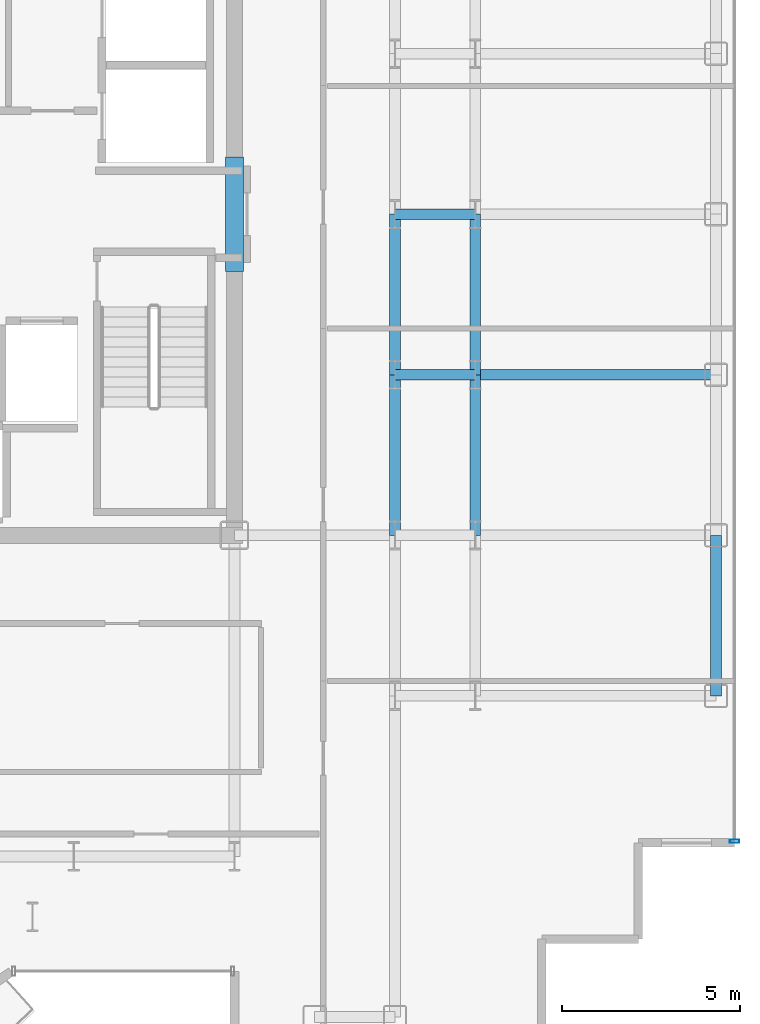
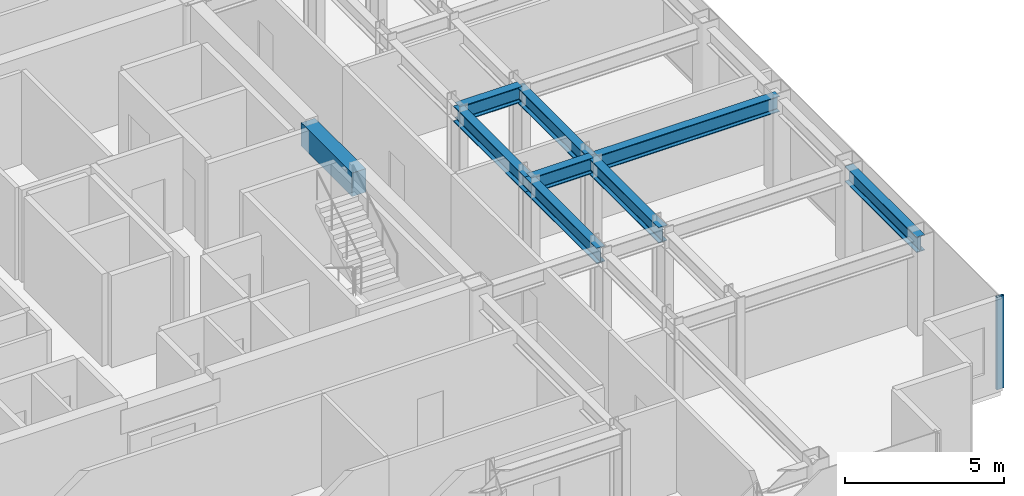
# One storey, part 6 of 20: 9 beams, 1 member, 1 element without a shape of its own.
"""IFC4 building model written with IfcOpenShell, lengths in metres."""

from ifc_helpers import new_model, si_unit, direction, frame, origin, origin_2d, place, context, subcontext, project, spatial, rectangle, hollow_rectangle, i_section, extrude, source, transform, mapped, material, layer, layer_set, material_profile, profile_set, type_object, element, aggregate, save


model = new_model("IFC4")

# Units and contexts
model_context = context("Model", 3, precision=1e-05, world=origin(), true_north=direction((0.0, 1.0)))
body_context = subcontext(model_context, "Body", "Model", "MODEL_VIEW")
ifc_project = project(units=[si_unit("LENGTHUNIT", "METRE"), si_unit("AREAUNIT", "SQUARE_METRE"), si_unit("VOLUMEUNIT", "CUBIC_METRE"), si_unit("PLANEANGLEUNIT", "RADIAN"), si_unit("MASSUNIT", "GRAM", prefix="KILO")], contexts=[model_context])

# Site, building, storey
site_placement = place(None, origin())
site = spatial("IfcSite", under=ifc_project, at=site_placement, CompositionType="ELEMENT")
building_placement = place(site_placement, origin())
building = spatial("IfcBuilding", under=site, at=building_placement, Name="Nefas-Gora Pilgrimage Tower", CompositionType="ELEMENT")
storey_placement = place(building_placement, frame((0.0, 0.0, 225.60009765625)))
storey = spatial("IfcBuildingStorey", under=building, at=storey_placement, Name="L56", CompositionType="ELEMENT", Elevation=225.60009765625)

# Beams
ifc_material_1 = material(Name="Concrete C50/60", Category="concrete")
ifc_material_profile_1 = material_profile(ifc_material_1, rectangle(XDim=0.5, YDim=0.89990234375, at=origin_2d()), Name="RC 500x900")
ifc_profile_set_1 = profile_set([ifc_material_profile_1], Name="Concrete C50/60")
beam_type_1 = type_object("IfcBeamType", Name="BM-LIN-RC900", PredefinedType="LINTEL", material=ifc_profile_set_1)
shared_shape_1 = source(origin(), body_context, "Body", "SweptSolid", [
    extrude(rectangle(XDim=0.5, YDim=0.89990234375, at=origin_2d()), origin(), (0.0, 0.0, 1.0), 3.2001953125),
])
beam_1_placement = place(storey_placement, frame((11.25, -1.60009765625, 3.099853515625), z_axis=(0.0, 1.0, 0.0), x_axis=(-1.0, 0.0, 0.0)))
element("IfcBeam", 1, at=beam_1_placement, inside=storey, type_object=beam_type_1, Name="L56 Core Coupling Lintel Beam E", PredefinedType="LINTEL", context=body_context, shape_type="MappedRepresentation", body=[
    mapped(shared_shape_1, transform((0.0, 0.0, 0.0), x_axis=(1.0, 0.0, 0.0), y_axis=(0.0, 1.0, 0.0), z_axis=(0.0, 0.0, 1.0), scale=1.0)),
])
ifc_material_2 = material(Name="Steel S355", Category="steel")
ifc_material_profile_2 = material_profile(ifc_material_2, i_section(OverallWidth=0.300048828125, OverallDepth=0.60009765625, WebThickness=0.015380859375, FlangeThickness=0.030029296875, FilletRadius=0.027099609375, at=origin_2d()), Name="HEB 600")
ifc_profile_set_2 = profile_set([ifc_material_profile_2], Name="Steel S355")
beam_type_2 = type_object("IfcBeamType", Name="BM-SPN-HEB450", PredefinedType="SPANDREL", material=ifc_profile_set_2)
shared_shape_2 = source(origin(), body_context, "Body", "SweptSolid", [
    extrude(i_section(OverallWidth=0.300048828125, OverallDepth=0.60009765625, WebThickness=0.015380859375, FlangeThickness=0.030029296875, FilletRadius=0.027099609375, at=origin_2d()), origin(), (0.0, 0.0, 1.0), 4.5),
])
beam_2_placement = place(storey_placement, frame((24.75, -13.5, 3.25), z_axis=(0.0, 1.0, 0.0), x_axis=(-1.0, 0.0, 0.0)))
element("IfcBeam", 2, at=beam_2_placement, inside=storey, type_object=beam_type_2, Name="L56 SP-03 beam", PredefinedType="SPANDREL", context=body_context, shape_type="MappedRepresentation", body=[
    mapped(shared_shape_2, transform((0.0, 0.0, 0.0), x_axis=(1.0, 0.0, 0.0), y_axis=(0.0, 1.0, 0.0), z_axis=(0.0, 0.0, 1.0), scale=1.0)),
])
ifc_material_profile_3 = material_profile(ifc_material_2, i_section(OverallWidth=0.300048828125, OverallDepth=0.60009765625, WebThickness=0.015380859375, FlangeThickness=0.030029296875, FilletRadius=0.027099609375, at=origin_2d()), Name="HEB 600")
ifc_profile_set_3 = profile_set([ifc_material_profile_3], Name="Steel S355")
beam_type_3 = type_object("IfcBeamType", Name="BM-GIR-HEB600", PredefinedType="BEAM", material=ifc_profile_set_3)
shared_shape_3 = source(origin(), body_context, "Body", "SweptSolid", [
    extrude(i_section(OverallWidth=0.300048828125, OverallDepth=0.60009765625, WebThickness=0.015380859375, FlangeThickness=0.030029296875, FilletRadius=0.027099609375, at=origin_2d()), origin(), (0.0, 0.0, 1.0), 4.5),
])
for number, where, z_axis, x_axis, name in (
    (3, (15.75, -9.0, 3.25), (0.0, 1.0, 0.0), (-1.0, 0.0, 0.0), "L56 G-04 beam"),
    (4, (15.75, -4.5, 3.25), (0.0, 1.0, 0.0), (-1.0, 0.0, 0.0), "L56 G-04 beam"),
    (5, (18.0, -9.0, 3.25), (0.0, 1.0, 0.0), (-1.0, 0.0, 0.0), "L56 G-04 beam"),
    (6, (18.0, -4.5, 3.25), (0.0, 1.0, 0.0), (-1.0, 0.0, 0.0), "L56 G-04 beam"),
):
    element("IfcBeam", number, at=place(storey_placement, frame(where, z_axis=z_axis, x_axis=x_axis)), inside=storey, type_object=beam_type_3, Name=name, PredefinedType="BEAM", context=body_context, shape_type="MappedRepresentation", body=[
        mapped(shared_shape_3, transform((0.0, 0.0, 0.0), x_axis=(1.0, 0.0, 0.0), y_axis=(0.0, 1.0, 0.0), z_axis=(0.0, 0.0, 1.0), scale=1.0)),
    ])
shared_shape_4 = source(origin(), body_context, "Body", "SweptSolid", [
    extrude(i_section(OverallWidth=0.300048828125, OverallDepth=0.60009765625, WebThickness=0.015380859375, FlangeThickness=0.030029296875, FilletRadius=0.027099609375, at=origin_2d()), origin(), (0.0, 0.0, 1.0), 6.75),
])
beam_3_placement = place(storey_placement, frame((18.0, -4.5, 3.25), z_axis=(1.0, 0.0, 0.0), x_axis=(0.0, 1.0, 0.0)))
element("IfcBeam", 7, at=beam_3_placement, inside=storey, type_object=beam_type_3, Name="L56 G-04 beam", PredefinedType="BEAM", context=body_context, shape_type="MappedRepresentation", body=[
    mapped(shared_shape_4, transform((0.0, 0.0, 0.0), x_axis=(1.0, 0.0, 0.0), y_axis=(0.0, 1.0, 0.0), z_axis=(0.0, 0.0, 1.0), scale=1.0)),
])
shared_shape_5 = source(origin(), body_context, "Body", "SweptSolid", [
    extrude(i_section(OverallWidth=0.300048828125, OverallDepth=0.60009765625, WebThickness=0.015380859375, FlangeThickness=0.030029296875, FilletRadius=0.027099609375, at=origin_2d()), origin(), (0.0, 0.0, 1.0), 2.25),
])
for number, where, z_axis, x_axis, name in (
    (8, (15.75, -4.5, 3.25), (1.0, 0.0, 0.0), (0.0, 1.0, 0.0), "L56 G-04 beam"),
    (9, (15.75, 0.0, 3.25), (1.0, 0.0, 0.0), (0.0, 1.0, 0.0), "L56 G-04 beam"),
):
    element("IfcBeam", number, at=place(storey_placement, frame(where, z_axis=z_axis, x_axis=x_axis)), inside=storey, type_object=beam_type_3, Name=name, PredefinedType="BEAM", context=body_context, shape_type="MappedRepresentation", body=[
        mapped(shared_shape_5, transform((0.0, 0.0, 0.0), x_axis=(1.0, 0.0, 0.0), y_axis=(0.0, 1.0, 0.0), z_axis=(0.0, 0.0, 1.0), scale=1.0)),
    ])

# Curtain wall, member
ifc_material_3 = material(Name="Dark ceramic-fritted solar-control aluminium-glass curtain wall", Category="aluminium")
ifc_layer = layer(ifc_material_3, 0.219970703125)
ifc_layer_set = layer_set([ifc_layer], Name="Dark ceramic-fritted solar-control aluminium-glass curtain wall")
curtain_wall_type = type_object("IfcCurtainWallType", Name="CW-SYS-3", PredefinedType="NOTDEFINED", material=ifc_layer_set)
curtain_wall_placement = place(storey_placement, origin())
curtain_wall = element("IfcCurtainWall", 10, at=curtain_wall_placement, inside=storey, type_object=curtain_wall_type, Name="L56 Unitised Curtain Wall CW3", PredefinedType="NOTDEFINED")
ifc_material_4 = material(Name="Anodised architectural aluminium", Category="aluminium")
ifc_material_profile_4 = material_profile(ifc_material_4, hollow_rectangle(XDim=0.090087890625, YDim=0.260009765625, WallThickness=0.006103515625, InnerFilletRadius=0.006103515625, OuterFilletRadius=0.011962890625, at=origin_2d()), Name="ALU MULLION 90x260")
ifc_profile_set_4 = profile_set([ifc_material_profile_4], Name="Anodised architectural aluminium")
member_type = type_object("IfcMemberType", Name="CWM-MUL-3", PredefinedType="MULLION", material=ifc_profile_set_4)
shared_shape_6 = source(origin(), body_context, "Body", "SweptSolid", [
    extrude(hollow_rectangle(XDim=0.090087890625, YDim=0.260009765625, WallThickness=0.006103515625, InnerFilletRadius=0.006103515625, OuterFilletRadius=0.011962890625, at=origin_2d()), origin(), (0.0, 0.0, 1.0), 3.5498046875),
])
member_placement = place(storey_placement, frame((25.27001953125, -17.574951171875, 0.0), z_axis=(0.0, 0.0, 1.0), x_axis=(0.0, 1.0, 0.0)))
member = element("IfcMember", 11, at=member_placement, type_object=member_type, Name="CW3 Mullion 1", PredefinedType="MULLION", context=body_context, shape_type="MappedRepresentation", body=[
    mapped(shared_shape_6, transform((0.0, 0.0, 0.0), x_axis=(1.0, 0.0, 0.0), y_axis=(0.0, 1.0, 0.0), z_axis=(0.0, 0.0, 1.0), scale=1.0)),
])
aggregate(curtain_wall, [member])

save(model, "model.ifc")
